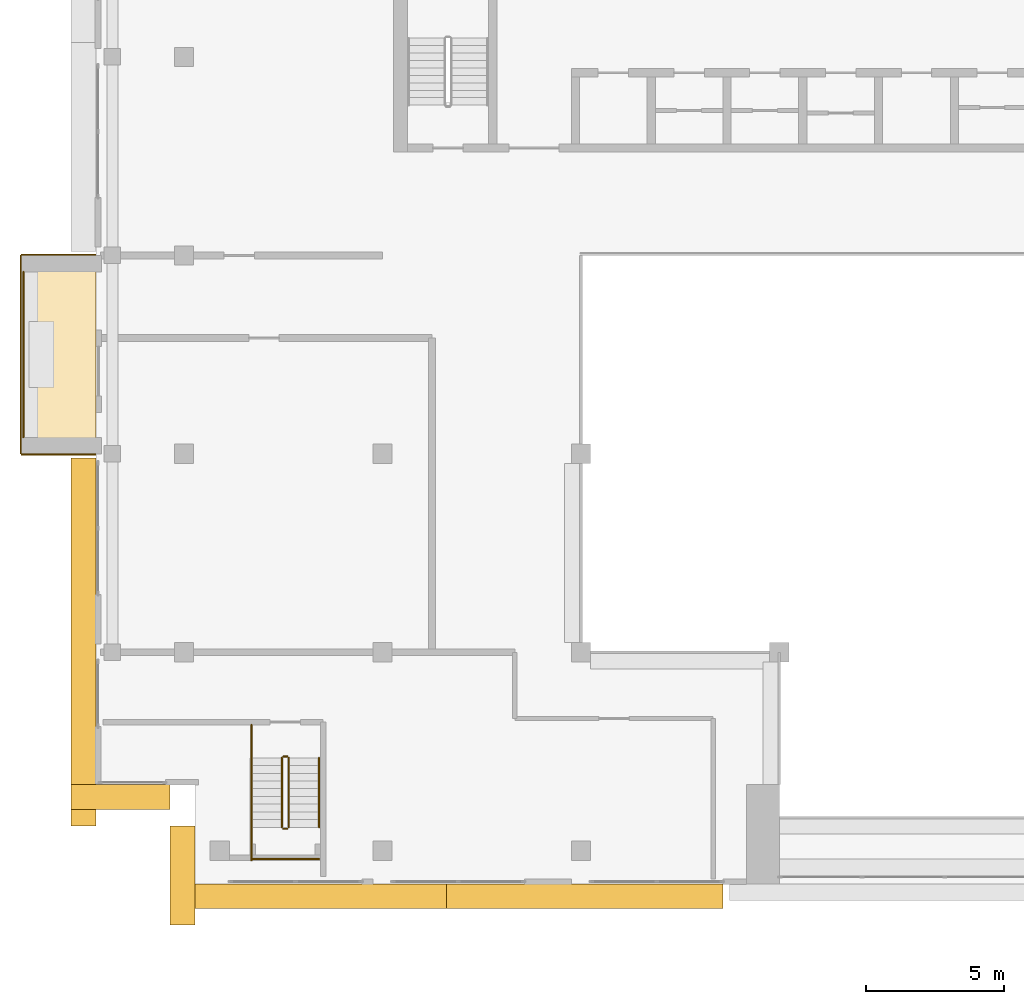
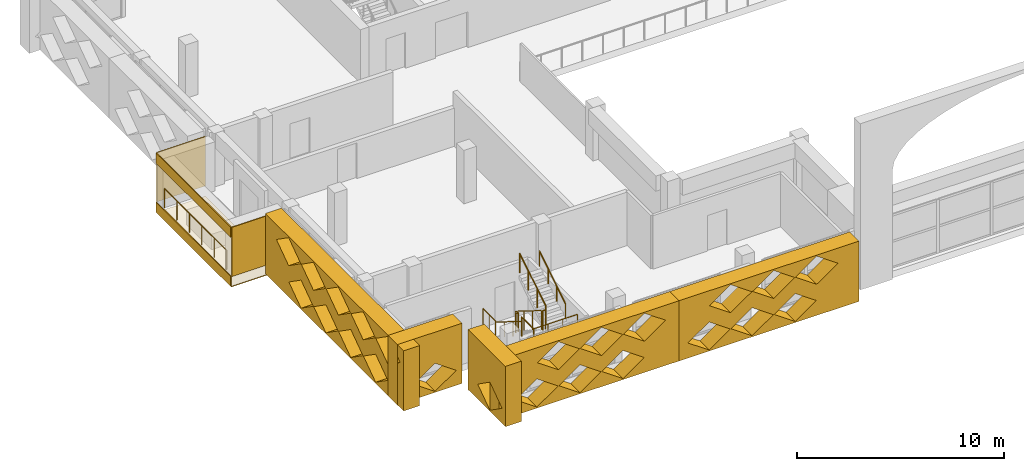
# One storey, part 16 of 22: 10 coverings, 10 railings.
"""IFC4 building model written with IfcOpenShell, lengths in metres."""

from ifc_helpers import new_model, si_unit, direction, frame, origin, origin_2d, place, context, subcontext, project, spatial, polyline, circle, outline, extrude, material, layer, layer_set, type_object, element, save


model = new_model("IFC4")

# Units and contexts
model_context = context("Model", 3, precision=1e-05, world=origin(), true_north=direction((0.0, 1.0)))
body_context = subcontext(model_context, "Body", "Model", "MODEL_VIEW")
ifc_project = project(units=[si_unit("LENGTHUNIT", "METRE"), si_unit("AREAUNIT", "SQUARE_METRE"), si_unit("VOLUMEUNIT", "CUBIC_METRE"), si_unit("PLANEANGLEUNIT", "RADIAN"), si_unit("MASSUNIT", "GRAM", prefix="KILO")], contexts=[model_context])

# Site, building, storey
site_placement = place(None, origin())
site = spatial("IfcSite", under=ifc_project, at=site_placement, CompositionType="ELEMENT")
building_placement = place(site_placement, origin())
building = spatial("IfcBuilding", under=site, at=building_placement, Name="Saffron Iwan Residences", CompositionType="ELEMENT")
storey_placement = place(building_placement, frame((0.0, 0.0, 271.0)))
storey = spatial("IfcBuildingStorey", under=building, at=storey_placement, Name="L73", CompositionType="ELEMENT", Elevation=271.0)

# Railing
ifc_material_1 = material(Name="Stainless steel 316", Category="steel")
railing_type_1 = type_object("IfcRailingType", Name="BALCONY GUARD 1150", PredefinedType="GUARDRAIL", material=ifc_material_1)
railing_1_placement = place(storey_placement, frame((15.77490234375, 61.800048828125, 0.0)))
element("IfcRailing", 1, at=railing_1_placement, inside=storey, type_object=railing_type_1, Name="Balcony guard L73 F8-0", PredefinedType="GUARDRAIL", context=body_context, shape_type="SweptSolid", body=[
    extrude(circle(Radius=0.02392578125, at=origin_2d()), frame((0.0, 0.0, 1.1259765625), z_axis=(0.0, -1.0, 0.0), x_axis=(1.0, 0.0, 0.0)), (0.0, 0.0, 1.0), 6.0),
    extrude(circle(Radius=0.02099609375, at=origin_2d()), origin(), (0.0, 0.0, 1.0), 1.101806640625),
    extrude(circle(Radius=0.02099609375, at=origin_2d()), frame((0.0, -1.199951171875, 0.0)), (0.0, 0.0, 1.0), 1.101806640625),
    extrude(circle(Radius=0.02099609375, at=origin_2d()), frame((0.0, -2.39990234375, 0.0)), (0.0, 0.0, 1.0), 1.101806640625),
    extrude(circle(Radius=0.02099609375, at=origin_2d()), frame((0.0, -3.60009765625, 0.0)), (0.0, 0.0, 1.0), 1.101806640625),
    extrude(circle(Radius=0.02099609375, at=origin_2d()), frame((0.0, -4.800048828125, 0.0)), (0.0, 0.0, 1.0), 1.101806640625),
    extrude(circle(Radius=0.02099609375, at=origin_2d()), frame((0.0, -6.0, 0.0)), (0.0, 0.0, 1.0), 1.101806640625),
])

# Coverings
ifc_material_2 = material(Name="Precast concrete C40/50 white painted", Category="concrete")
ifc_layer = layer(ifc_material_2, 0.050048828125)
ifc_layer_set = layer_set([ifc_layer], Name="Precast concrete C40/50 white painted")
covering_type_1 = type_object("IfcCoveringType", Name="FRAME SKIN PRECAST WHITE 50", PredefinedType="CLADDING", material=ifc_layer_set)
covering_1_placement = place(storey_placement, frame((0.0, 0.0, -0.60009765625)))
element("IfcCovering", 2, at=covering_1_placement, inside=storey, type_object=covering_type_1, Name="Frame skin slab edge L73 F8-0", PredefinedType="CLADDING", context=body_context, shape_type="SweptSolid", body=[
    extrude(outline(polyline([(15.64990234375, 62.39990234375), (15.64990234375, 55.199951171875), (15.699951171875, 55.199951171875), (15.699951171875, 62.39990234375), (15.64990234375, 62.39990234375)])), origin(), (0.0, 0.0, 1.0), 0.60009765625),
])
covering_2_placement = place(storey_placement, frame((0.0, 0.0, 2.301025390625)))
element("IfcCovering", 3, at=covering_2_placement, inside=storey, type_object=covering_type_1, Name="Frame skin fascia L73 F8-0", PredefinedType="CLADDING", context=body_context, shape_type="SweptSolid", body=[
    extrude(outline(polyline([(15.64990234375, 62.39990234375), (15.64990234375, 55.199951171875), (15.699951171875, 55.199951171875), (15.699951171875, 62.39990234375), (15.64990234375, 62.39990234375)])), origin(), (0.0, 0.0, 1.0), 0.599853515625),
])
covering_3_placement = place(storey_placement, frame((0.0, 0.0, -0.64990234375)))
element("IfcCovering", 4, at=covering_3_placement, inside=storey, type_object=covering_type_1, Name="Frame skin soffit L73 F8-0", PredefinedType="CLADDING", context=body_context, shape_type="SweptSolid", body=[
    extrude(outline(polyline([(15.699951171875, 62.39990234375), (15.699951171875, 55.199951171875), (18.39990234375, 55.199951171875), (18.39990234375, 62.39990234375), (15.699951171875, 62.39990234375)])), origin(), (0.0, 0.0, 1.0), 0.0498046875),
])
covering_4_placement = place(storey_placement, origin())
element("IfcCovering", 5, at=covering_4_placement, inside=storey, type_object=covering_type_1, Name="Frame skin fin L73 F8-0a", PredefinedType="CLADDING", context=body_context, shape_type="SweptSolid", body=[
    extrude(outline(polyline([(15.699951171875, 62.449951171875), (15.699951171875, 62.39990234375), (18.39990234375, 62.39990234375), (18.39990234375, 62.449951171875), (15.699951171875, 62.449951171875)])), origin(), (0.0, 0.0, 1.0), 2.90087890625),
])
covering_5_placement = place(storey_placement, origin())
element("IfcCovering", 6, at=covering_5_placement, inside=storey, type_object=covering_type_1, Name="Frame skin fin L73 F8-0b", PredefinedType="CLADDING", context=body_context, shape_type="SweptSolid", body=[
    extrude(outline(polyline([(15.699951171875, 55.199951171875), (15.699951171875, 55.14990234375), (18.39990234375, 55.14990234375), (18.39990234375, 55.199951171875), (15.699951171875, 55.199951171875)])), origin(), (0.0, 0.0, 1.0), 2.90087890625),
])
ifc_material_3 = material(Name="Precast concrete C40/50", Category="concrete")
covering_type_2 = type_object("IfcCoveringType", Name="OUTER SKIN LATTICE SCREEN", PredefinedType="CLADDING", material=ifc_material_3)
covering_6_placement = place(storey_placement, frame((18.39990234375, 55.050048828125, -0.40087890625), z_axis=(-1.0, 0.0, 0.0), x_axis=(0.0, -1.0, 0.0)))
element("IfcCovering", 7, at=covering_6_placement, inside=storey, type_object=covering_type_2, Name="OUTER SKIN lattice screen L73 F8.2", PredefinedType="CLADDING", context=body_context, shape_type="SweptSolid", body=[
    extrude(outline(polyline([(0.0, 0.0), (13.35009765625, 0.0), (13.35009765625, 3.551025390625), (0.0, 3.551025390625), (0.0, 0.0)]), holes=[polyline([(2.27001953125, 0.8876953125), (3.449951171875, 0.06005859375), (4.6298828125, 0.8876953125), (3.449951171875, 1.715576171875), (2.27001953125, 0.8876953125)]), polyline([(4.669921875, 0.8876953125), (5.85009765625, 0.06005859375), (7.030029296875, 0.8876953125), (5.85009765625, 1.715576171875), (4.669921875, 0.8876953125)]), polyline([(7.070068359375, 0.8876953125), (8.25, 0.06005859375), (9.429931640625, 0.8876953125), (8.25, 1.715576171875), (7.070068359375, 0.8876953125)]), polyline([(9.469970703125, 0.8876953125), (10.64990234375, 0.06005859375), (11.830078125, 0.8876953125), (10.64990234375, 1.715576171875), (9.469970703125, 0.8876953125)]), polyline([(1.070068359375, 2.663330078125), (2.25, 1.83544921875), (3.429931640625, 2.663330078125), (2.25, 3.490966796875), (1.070068359375, 2.663330078125)]), polyline([(3.469970703125, 2.663330078125), (4.64990234375, 1.83544921875), (5.830078125, 2.663330078125), (4.64990234375, 3.490966796875), (3.469970703125, 2.663330078125)]), polyline([(5.8701171875, 2.663330078125), (7.050048828125, 1.83544921875), (8.22998046875, 2.663330078125), (7.050048828125, 3.490966796875), (5.8701171875, 2.663330078125)]), polyline([(8.27001953125, 2.663330078125), (9.449951171875, 1.83544921875), (10.6298828125, 2.663330078125), (9.449951171875, 3.490966796875), (8.27001953125, 2.663330078125)]), polyline([(10.669921875, 2.663330078125), (11.85009765625, 1.83544921875), (13.030029296875, 2.663330078125), (11.85009765625, 3.490966796875), (10.669921875, 2.663330078125)])]), origin(), (0.0, 0.0, 1.0), 0.89990234375),
])
for number, where, z_axis, x_axis, name in (
    (8, (17.5, 43.199951171875, -0.40087890625), (0.0, -1.0, 0.0), (1.0, 0.0, 0.0), "OUTER SKIN lattice screen L73 F9.0"),
    (9, (22.0, 41.699951171875, -0.40087890625), (-1.0, 0.0, 0.0), (0.0, -1.0, 0.0), "OUTER SKIN lattice screen L73 F10.0"),
):
    element("IfcCovering", number, at=place(storey_placement, frame(where, z_axis=z_axis, x_axis=x_axis)), inside=storey, type_object=covering_type_2, Name=name, PredefinedType="CLADDING", context=body_context, shape_type="SweptSolid", body=[
        extrude(outline(polyline([(0.0, 0.0), (3.60009765625, 0.0), (3.60009765625, 3.551025390625), (0.0, 3.551025390625), (0.0, 0.0)]), holes=[polyline([(0.919921875, 0.8876953125), (2.10009765625, 0.06005859375), (3.280029296875, 0.8876953125), (2.10009765625, 1.715576171875), (0.919921875, 0.8876953125)])]), origin(), (0.0, 0.0, 1.0), 0.89990234375),
    ])
covering_7_placement = place(storey_placement, frame((21.10009765625, 39.60009765625, -0.40087890625), z_axis=(0.0, -1.0, 0.0), x_axis=(1.0, 0.0, 0.0)))
element("IfcCovering", 10, at=covering_7_placement, inside=storey, type_object=covering_type_2, Name="OUTER SKIN lattice screen L73 F11.0", PredefinedType="CLADDING", context=body_context, shape_type="SweptSolid", body=[
    extrude(outline(polyline([(0.0, 0.0), (10.02490234375, 0.0), (10.02490234375, 3.551025390625), (0.0, 3.551025390625), (0.0, 0.0)]), holes=[polyline([(0.919921875, 0.8876953125), (2.10009765625, 0.06005859375), (3.280029296875, 0.8876953125), (2.10009765625, 1.715576171875), (0.919921875, 0.8876953125)]), polyline([(3.320068359375, 0.8876953125), (4.5, 0.06005859375), (5.679931640625, 0.8876953125), (4.5, 1.715576171875), (3.320068359375, 0.8876953125)]), polyline([(5.719970703125, 0.8876953125), (6.89990234375, 0.06005859375), (8.080078125, 0.8876953125), (6.89990234375, 1.715576171875), (5.719970703125, 0.8876953125)]), polyline([(2.1201171875, 2.663330078125), (3.300048828125, 1.83544921875), (4.47998046875, 2.663330078125), (3.300048828125, 3.490966796875), (2.1201171875, 2.663330078125)]), polyline([(4.52001953125, 2.663330078125), (5.699951171875, 1.83544921875), (6.8798828125, 2.663330078125), (5.699951171875, 3.490966796875), (4.52001953125, 2.663330078125)]), polyline([(6.919921875, 2.663330078125), (8.10009765625, 1.83544921875), (9.280029296875, 2.663330078125), (8.10009765625, 3.490966796875), (6.919921875, 2.663330078125)])]), origin(), (0.0, 0.0, 1.0), 0.900146484375),
])
covering_8_placement = place(storey_placement, frame((31.125, 39.60009765625, -0.40087890625), z_axis=(0.0, -1.0, 0.0), x_axis=(1.0, 0.0, 0.0)))
element("IfcCovering", 11, at=covering_8_placement, inside=storey, type_object=covering_type_2, Name="OUTER SKIN lattice screen L73 F11.1", PredefinedType="CLADDING", context=body_context, shape_type="SweptSolid", body=[
    extrude(outline(polyline([(0.0, 0.0), (10.02490234375, 0.0), (10.02490234375, 3.551025390625), (0.0, 3.551025390625), (0.0, 0.0)]), holes=[polyline([(0.4951171875, 0.8876953125), (1.675048828125, 0.06005859375), (2.85498046875, 0.8876953125), (1.675048828125, 1.715576171875), (0.4951171875, 0.8876953125)]), polyline([(2.89501953125, 0.8876953125), (4.074951171875, 0.06005859375), (5.2548828125, 0.8876953125), (4.074951171875, 1.715576171875), (2.89501953125, 0.8876953125)]), polyline([(5.294921875, 0.8876953125), (6.47509765625, 0.06005859375), (7.655029296875, 0.8876953125), (6.47509765625, 1.715576171875), (5.294921875, 0.8876953125)]), polyline([(1.695068359375, 2.663330078125), (2.875, 1.83544921875), (4.054931640625, 2.663330078125), (2.875, 3.490966796875), (1.695068359375, 2.663330078125)]), polyline([(4.094970703125, 2.663330078125), (5.27490234375, 1.83544921875), (6.455078125, 2.663330078125), (5.27490234375, 3.490966796875), (4.094970703125, 2.663330078125)]), polyline([(6.4951171875, 2.663330078125), (7.675048828125, 1.83544921875), (8.85498046875, 2.663330078125), (7.675048828125, 3.490966796875), (6.4951171875, 2.663330078125)])]), origin(), (0.0, 0.0, 1.0), 0.900146484375),
])

# Railings
ifc_material_4 = material(Name="Steel S355", Category="steel")
railing_type_2 = type_object("IfcRailingType", Name="Podium guard 1150", PredefinedType="GUARDRAIL", material=ifc_material_4)
railing_2_placement = place(storey_placement, frame((24.050048828125, 40.5, 1.75)))
element("IfcRailing", 12, at=railing_2_placement, inside=storey, type_object=railing_type_2, Name="L73 guard 1", PredefinedType="GUARDRAIL", context=body_context, shape_type="SweptSolid", body=[
    extrude(circle(Radius=0.02392578125, at=origin_2d()), frame((0.0, 0.0, 1.1259765625), z_axis=(1.0, 0.0, 0.0), x_axis=(0.0, 1.0, 0.0)), (0.0, 0.0, 1.0), 2.449951171875),
    extrude(circle(Radius=0.02099609375, at=origin_2d()), origin(), (0.0, 0.0, 1.0), 1.101806640625),
    extrude(circle(Radius=0.02099609375, at=origin_2d()), frame((0.816650390625, 0.0, 0.0)), (0.0, 0.0, 1.0), 1.101806640625),
    extrude(circle(Radius=0.02099609375, at=origin_2d()), frame((1.63330078125, 0.0, 0.0)), (0.0, 0.0, 1.0), 1.101806640625),
    extrude(circle(Radius=0.02099609375, at=origin_2d()), frame((2.449951171875, 0.0, 0.0)), (0.0, 0.0, 1.0), 1.101806640625),
])
railing_type_3 = type_object("IfcRailingType", Name="Podium stair guard 1150", PredefinedType="GUARDRAIL", material=ifc_material_4)
railing_3_placement = place(storey_placement, frame((25.14990234375, 44.169921875, 0.175048828125)))
element("IfcRailing", 13, at=railing_3_placement, inside=storey, type_object=railing_type_3, Name="L73 CS stair guard 1", PredefinedType="GUARDRAIL", context=body_context, shape_type="SweptSolid", body=[
    extrude(circle(Radius=0.02392578125, at=origin_2d()), frame((0.0, 0.0, 1.1259765625), z_axis=(0.0, -0.848007534815, 0.529984170421), x_axis=(1.0, 0.0, 0.0)), (0.0, 0.0, 1.0), 2.9716796875),
    extrude(circle(Radius=0.02099609375, at=origin_2d()), origin(), (0.0, 0.0, 1.0), 1.101806640625),
    extrude(circle(Radius=0.02099609375, at=origin_2d()), frame((0.0, -0.840087890625, 0.52490234375)), (0.0, 0.0, 1.0), 1.101806640625),
    extrude(circle(Radius=0.02099609375, at=origin_2d()), frame((0.0, -1.679931640625, 1.050048828125)), (0.0, 0.0, 1.0), 1.101806640625),
    extrude(circle(Radius=0.02099609375, at=origin_2d()), frame((0.0, -2.52001953125, 1.574951171875)), (0.0, 0.0, 1.0), 1.101806640625),
])
railing_4_placement = place(storey_placement, frame((25.199951171875, 41.60009765625, 1.75)))
element("IfcRailing", 14, at=railing_4_placement, inside=storey, type_object=railing_type_3, Name="L73 CS stair guard 2", PredefinedType="GUARDRAIL", context=body_context, shape_type="SweptSolid", body=[
    extrude(circle(Radius=0.02392578125, at=origin_2d()), frame((0.0, 0.0, 1.1259765625), z_axis=(1.0, 0.0, 0.0), x_axis=(0.0, 1.0, 0.0)), (0.0, 0.0, 1.0), 0.150146484375),
    extrude(circle(Radius=0.02099609375, at=origin_2d()), origin(), (0.0, 0.0, 1.0), 1.101806640625),
    extrude(circle(Radius=0.02099609375, at=origin_2d()), frame((0.150146484375, 0.0, 0.0)), (0.0, 0.0, 1.0), 1.101806640625),
])
railing_5_placement = place(storey_placement, frame((24.050048828125, 41.64990234375, 1.75)))
element("IfcRailing", 15, at=railing_5_placement, inside=storey, type_object=railing_type_3, Name="L73 CS stair guard 3", PredefinedType="GUARDRAIL", context=body_context, shape_type="SweptSolid", body=[
    extrude(circle(Radius=0.02392578125, at=origin_2d()), frame((0.0, 0.0, 1.1259765625), z_axis=(0.0, -1.0, 0.0), x_axis=(1.0, 0.0, 0.0)), (0.0, 0.0, 1.0), 1.199951171875),
    extrude(circle(Radius=0.02099609375, at=origin_2d()), origin(), (0.0, 0.0, 1.0), 1.101806640625),
    extrude(circle(Radius=0.02099609375, at=origin_2d()), frame((0.0, -1.199951171875, 0.0)), (0.0, 0.0, 1.0), 1.101806640625),
])
railing_6_placement = place(storey_placement, frame((25.39990234375, 41.64990234375, 1.925048828125)))
element("IfcRailing", 16, at=railing_6_placement, inside=storey, type_object=railing_type_3, Name="L73 CS stair guard 4", PredefinedType="GUARDRAIL", context=body_context, shape_type="SweptSolid", body=[
    extrude(circle(Radius=0.02392578125, at=origin_2d()), frame((0.0, 0.0, 1.1259765625), z_axis=(0.0, 0.848007534815, 0.529984170421), x_axis=(-1.0, 0.0, 0.0)), (0.0, 0.0, 1.0), 2.9716796875),
    extrude(circle(Radius=0.02099609375, at=origin_2d()), origin(), (0.0, 0.0, 1.0), 1.101806640625),
    extrude(circle(Radius=0.02099609375, at=origin_2d()), frame((0.0, 0.840087890625, 0.52490234375)), (0.0, 0.0, 1.0), 1.101806640625),
    extrude(circle(Radius=0.02099609375, at=origin_2d()), frame((0.0, 1.679931640625, 1.050048828125)), (0.0, 0.0, 1.0), 1.101806640625),
    extrude(circle(Radius=0.02099609375, at=origin_2d()), frame((0.0, 2.52001953125, 1.574951171875)), (0.0, 0.0, 1.0), 1.101806640625),
])
railing_7_placement = place(storey_placement, frame((25.199951171875, 44.219970703125, 0.0)))
element("IfcRailing", 17, at=railing_7_placement, inside=storey, type_object=railing_type_3, Name="L73 CS stair guard 5", PredefinedType="GUARDRAIL", context=body_context, shape_type="SweptSolid", body=[
    extrude(circle(Radius=0.02392578125, at=origin_2d()), frame((0.0, 0.0, 1.1259765625), z_axis=(1.0, 0.0, 0.0), x_axis=(0.0, 1.0, 0.0)), (0.0, 0.0, 1.0), 0.150146484375),
    extrude(circle(Radius=0.02099609375, at=origin_2d()), origin(), (0.0, 0.0, 1.0), 1.101806640625),
    extrude(circle(Radius=0.02099609375, at=origin_2d()), frame((0.150146484375, 0.0, 0.0)), (0.0, 0.0, 1.0), 1.101806640625),
])
railing_8_placement = place(storey_placement, frame((24.050048828125, 45.3701171875, 0.0)))
element("IfcRailing", 18, at=railing_8_placement, inside=storey, type_object=railing_type_3, Name="L73 CS stair guard 6", PredefinedType="GUARDRAIL", context=body_context, shape_type="SweptSolid", body=[
    extrude(circle(Radius=0.02392578125, at=origin_2d()), frame((0.0, 0.0, 1.1259765625), z_axis=(0.0, -1.0, 0.0), x_axis=(1.0, 0.0, 0.0)), (0.0, 0.0, 1.0), 1.2001953125),
    extrude(circle(Radius=0.02099609375, at=origin_2d()), origin(), (0.0, 0.0, 1.0), 1.101806640625),
    extrude(circle(Radius=0.02099609375, at=origin_2d()), frame((0.0, -0.60009765625, 0.0)), (0.0, 0.0, 1.0), 1.101806640625),
    extrude(circle(Radius=0.02099609375, at=origin_2d()), frame((0.0, -1.2001953125, 0.0)), (0.0, 0.0, 1.0), 1.101806640625),
])
railing_type_4 = type_object("IfcRailingType", Name="Podium stair handrail 900", PredefinedType="HANDRAIL", material=ifc_material_4)
railing_9_placement = place(storey_placement, frame((24.050048828125, 44.169921875, 0.175048828125)))
element("IfcRailing", 19, at=railing_9_placement, inside=storey, type_object=railing_type_4, Name="L73 CS stair handrail 1", PredefinedType="HANDRAIL", context=body_context, shape_type="SweptSolid", body=[
    extrude(circle(Radius=0.02392578125, at=origin_2d()), frame((0.0, 0.0, 0.8759765625), z_axis=(0.0, -0.848007534815, 0.529984170421), x_axis=(1.0, 0.0, 0.0)), (0.0, 0.0, 1.0), 2.9716796875),
    extrude(circle(Radius=0.02099609375, at=origin_2d()), origin(), (0.0, 0.0, 1.0), 0.851806640625),
    extrude(circle(Radius=0.02099609375, at=origin_2d()), frame((0.0, -0.840087890625, 0.52490234375)), (0.0, 0.0, 1.0), 0.851806640625),
    extrude(circle(Radius=0.02099609375, at=origin_2d()), frame((0.0, -1.679931640625, 1.050048828125)), (0.0, 0.0, 1.0), 0.851806640625),
    extrude(circle(Radius=0.02099609375, at=origin_2d()), frame((0.0, -2.52001953125, 1.574951171875)), (0.0, 0.0, 1.0), 0.851806640625),
])
railing_10_placement = place(storey_placement, frame((26.5, 41.64990234375, 1.925048828125)))
element("IfcRailing", 20, at=railing_10_placement, inside=storey, type_object=railing_type_4, Name="L73 CS stair handrail 2", PredefinedType="HANDRAIL", context=body_context, shape_type="SweptSolid", body=[
    extrude(circle(Radius=0.02392578125, at=origin_2d()), frame((0.0, 0.0, 0.8759765625), z_axis=(0.0, 0.848007534815, 0.529984170421), x_axis=(-1.0, 0.0, 0.0)), (0.0, 0.0, 1.0), 2.9716796875),
    extrude(circle(Radius=0.02099609375, at=origin_2d()), origin(), (0.0, 0.0, 1.0), 0.851806640625),
    extrude(circle(Radius=0.02099609375, at=origin_2d()), frame((0.0, 0.840087890625, 0.52490234375)), (0.0, 0.0, 1.0), 0.851806640625),
    extrude(circle(Radius=0.02099609375, at=origin_2d()), frame((0.0, 1.679931640625, 1.050048828125)), (0.0, 0.0, 1.0), 0.851806640625),
    extrude(circle(Radius=0.02099609375, at=origin_2d()), frame((0.0, 2.52001953125, 1.574951171875)), (0.0, 0.0, 1.0), 0.851806640625),
])

save(model, "model.ifc")
